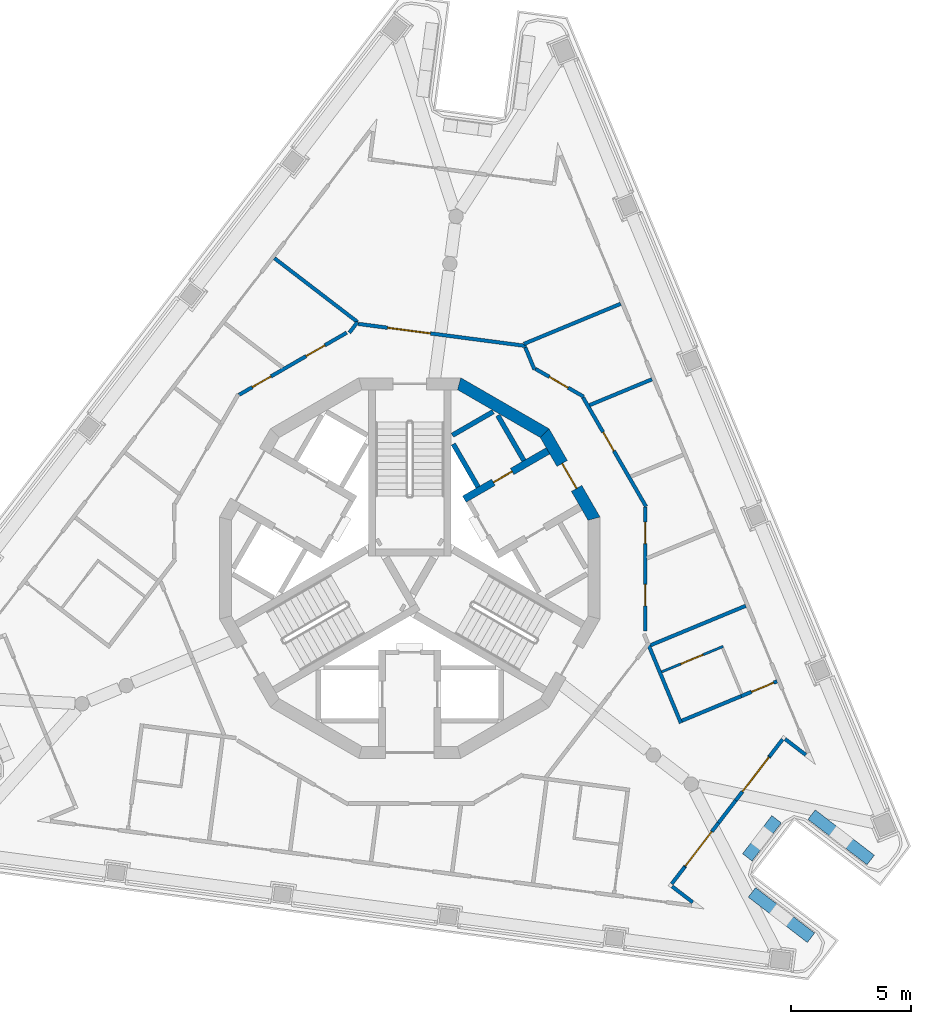
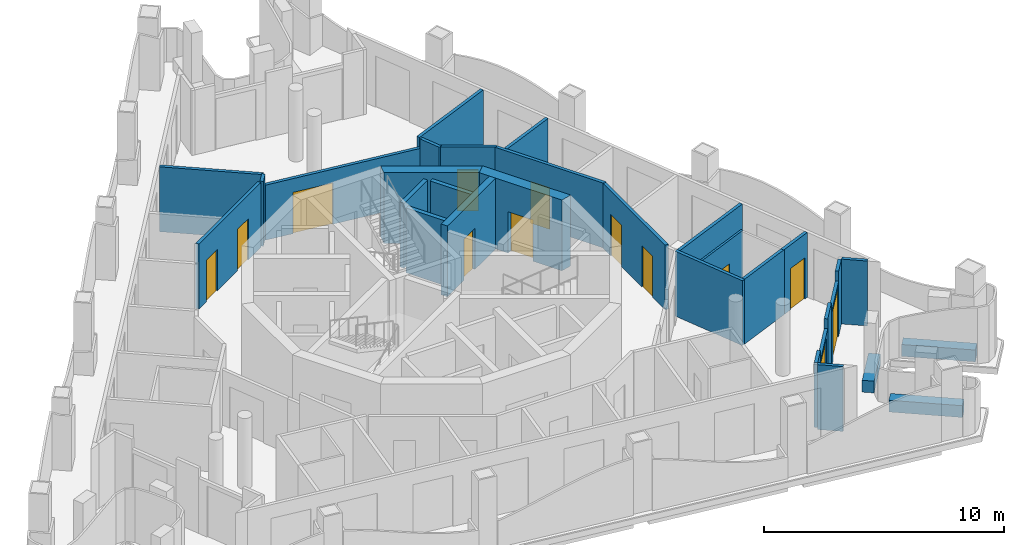
# One storey, part 5 of 12: 31 walls, 13 doors, 13 openings.
"""IFC4 building model written with IfcOpenShell, lengths in metres."""

from ifc_helpers import new_model, si_unit, direction, frame, frame_2d, origin, place, context, subcontext, project, spatial, polyline, rectangle, outline, extrude, material, layer, layer_set, type_object, element, fill, save


model = new_model("IFC4")

# Units and contexts
model_context = context("Model", 3, precision=1e-05, world=origin(), true_north=direction((0.0, 1.0)))
body_context = subcontext(model_context, "Body", "Model", "MODEL_VIEW")
ifc_project = project(units=[si_unit("LENGTHUNIT", "METRE"), si_unit("AREAUNIT", "SQUARE_METRE"), si_unit("VOLUMEUNIT", "CUBIC_METRE"), si_unit("PLANEANGLEUNIT", "RADIAN"), si_unit("MASSUNIT", "GRAM", prefix="KILO")], contexts=[model_context])

# Site, building, storey
site_placement = place(None, origin())
site = spatial("IfcSite", under=ifc_project, at=site_placement, CompositionType="ELEMENT")
building_placement = place(site_placement, origin())
building = spatial("IfcBuilding", under=site, at=building_placement, Name="Trine Commons Tower", CompositionType="ELEMENT")
storey_placement = place(building_placement, frame((0.0, 0.0, 275.39990234375)))
storey = spatial("IfcBuildingStorey", under=building, at=storey_placement, Name="L72", CompositionType="ELEMENT", Elevation=275.39990234375)

# Walls
ifc_material_1 = material(Name="Aluminium-framed insulated wall panel", Category="aluminium")
ifc_layer_1 = layer(ifc_material_1, 0.14990234375)
ifc_layer_set_1 = layer_set([ifc_layer_1], Name="Aluminium-framed insulated wall panel")
wall_type_1 = type_object("IfcWallType", Name="Glazed frame wall 150, EI 60", PredefinedType="SOLIDWALL", material=ifc_layer_set_1)
wall_1_placement = place(storey_placement, frame((96.600830078125, 54.633544921875, 0.0), z_axis=(0.0, 0.0, 1.0), x_axis=(-0.793352136239, 0.608762998157, 0.0)))
element("IfcWall", 1, at=wall_1_placement, inside=storey, type_object=wall_type_1, Name="Glazed frame wall R6", PredefinedType="SOLIDWALL", context=body_context, shape_type="SweptSolid", body=[
    extrude(outline(polyline([(0.1494140625, 0.074951171875), (0.1494140625, -0.074951171875), (1.235107421875, -0.074951171875), (1.235107421875, 0.074951171875), (0.1494140625, 0.074951171875)])), origin(), (0.0, 0.0, 1.0), 3.300048828125),
])
wall_2_placement = place(storey_placement, frame((95.582763671875, 55.458740234375, 0.0), z_axis=(0.0, 0.0, 1.0), x_axis=(-0.60863653794, -0.793449156962, 0.0)))
element("IfcWall", 2, at=wall_2_placement, inside=storey, type_object=wall_type_1, Name="Glazed frame wall P2.1", PredefinedType="SOLIDWALL", context=body_context, shape_type="SweptSolid", body=[
    extrude(outline(polyline([(0.110107421875, -0.074951171875), (1.0, -0.074951171875), (1.0, 0.074951171875), (0.110107421875, 0.074951171875), (0.110107421875, -0.074951171875)])), origin(), (0.0, 0.0, 1.0), 3.300048828125),
])

# Wall, opening, door
wall_3_placement = place(storey_placement, frame((94.97412109375, 54.665283203125, 0.0), z_axis=(0.0, 0.0, 1.0), x_axis=(-0.608821878019, -0.793306952475, 0.0)))
wall_3 = element("IfcWall", 3, at=wall_3_placement, inside=storey, type_object=wall_type_1, Name="Glazed frame wall P2.2", PredefinedType="SOLIDWALL", context=body_context, shape_type="SweptSolid", body=[
    extrude(outline(polyline([(0.0, -0.074951171875), (2.310791015625, -0.074951171875), (2.310791015625, 0.074951171875), (0.0, 0.074951171875), (0.0, -0.074951171875)])), origin(), (0.0, 0.0, 1.0), 2.800048828125),
])
opening_1_placement = place(wall_3_placement, frame((0.050048828125, 0.0, 0.0)))
opening_1 = element("IfcOpeningElement", 4, at=opening_1_placement, cuts=wall_3, Name="Opening BD-8P2-01", PredefinedType="OPENING", context=body_context, shape_type="SweptSolid", body=[
    extrude(rectangle(XDim=1.800048828125, YDim=2.60009765625, at=frame_2d((0.89990234375, 1.300048828125))), frame((0.0, 0.0849609375, 0.0), z_axis=(0.0, -1.0, 0.0), x_axis=(1.0, 0.0, 0.0)), (0.0, 0.0, 1.0), 0.169921875),
])
ifc_material_2 = material(Name="Anodised aluminium frame with double glazing", Category="aluminium")
door_type_1 = type_object("IfcDoorType", Name="Sliding loggia door 1800x2600", OperationType="SLIDING_TO_LEFT", PredefinedType="DOOR", material=ifc_material_2)
door_1_placement = place(opening_1_placement, origin())
door_1 = element("IfcDoor", 5, at=door_1_placement, inside=storey, type_object=door_type_1, Name="Loggia door P2 1", OperationType="SLIDING_TO_LEFT", OverallHeight=2.60009765625, OverallWidth=1.800048828125, PredefinedType="DOOR", context=body_context, shape_type="SweptSolid", body=[
    extrude(rectangle(XDim=1.800048828125, YDim=2.60009765625, at=frame_2d((0.89990234375, 1.300048828125))), frame((0.0, 0.02490234375, 0.0), z_axis=(0.0, -1.0, 0.0), x_axis=(1.0, 0.0, 0.0)), (0.0, 0.0, 1.0), 0.050048828125),
])
fill(opening_1, door_1)

# Wall
wall_4_placement = place(storey_placement, frame((93.5673828125, 52.832275390625, 0.0), z_axis=(0.0, 0.0, 1.0), x_axis=(-0.608779373124, -0.793339570965, 0.0)))
element("IfcWall", 6, at=wall_4_placement, inside=storey, type_object=wall_type_1, Name="Glazed frame wall P2.3", PredefinedType="SOLIDWALL", context=body_context, shape_type="SweptSolid", body=[
    extrude(outline(polyline([(0.0, -0.074951171875), (1.1787109375, -0.074951171875), (1.1787109375, 0.074951171875), (0.0, 0.074951171875), (0.0, -0.074951171875)])), origin(), (0.0, 0.0, 1.0), 3.300048828125),
])

# Wall, opening, door
wall_5_placement = place(storey_placement, frame((92.849853515625, 51.897216796875, 0.0), z_axis=(0.0, 0.0, 1.0), x_axis=(-0.608770848341, -0.793346112494, 0.0)))
wall_5 = element("IfcWall", 7, at=wall_5_placement, inside=storey, type_object=wall_type_1, Name="Glazed frame wall P2.4", PredefinedType="SOLIDWALL", context=body_context, shape_type="SweptSolid", body=[
    extrude(outline(polyline([(0.0, -0.074951171875), (2.310791015625, -0.074951171875), (2.310791015625, 0.074951171875), (0.0, 0.074951171875), (0.0, -0.074951171875)])), origin(), (0.0, 0.0, 1.0), 2.800048828125),
])
opening_2_placement = place(wall_5_placement, frame((0.460693359375, 0.0, 0.0)))
opening_2 = element("IfcOpeningElement", 8, at=opening_2_placement, cuts=wall_5, Name="Opening BD-8P2-02", PredefinedType="OPENING", context=body_context, shape_type="SweptSolid", body=[
    extrude(rectangle(XDim=1.800048828125, YDim=2.60009765625, at=frame_2d((0.89990234375, 1.300048828125))), frame((0.0, 0.0849609375, 0.0), z_axis=(0.0, -1.0, 0.0), x_axis=(1.0, 0.0, 0.0)), (0.0, 0.0, 1.0), 0.169921875),
])
door_2_placement = place(opening_2_placement, origin())
door_2 = element("IfcDoor", 9, at=door_2_placement, inside=storey, type_object=door_type_1, Name="Loggia door P2 2", OperationType="SLIDING_TO_LEFT", OverallHeight=2.60009765625, OverallWidth=1.800048828125, PredefinedType="DOOR", context=body_context, shape_type="SweptSolid", body=[
    extrude(rectangle(XDim=1.800048828125, YDim=2.60009765625, at=frame_2d((0.89990234375, 1.300048828125))), frame((0.0, 0.02490234375, 0.0), z_axis=(0.0, -1.0, 0.0), x_axis=(1.0, 0.0, 0.0)), (0.0, 0.0, 1.0), 0.050048828125),
])
fill(opening_2, door_2)

# Walls
wall_6_placement = place(storey_placement, frame((91.443115234375, 50.06396484375, 0.0), z_axis=(0.0, 0.0, 1.0), x_axis=(-0.60863653794, -0.793449156962, 0.0)))
element("IfcWall", 10, at=wall_6_placement, inside=storey, type_object=wall_type_1, Name="Glazed frame wall P2.5", PredefinedType="SOLIDWALL", context=body_context, shape_type="SweptSolid", body=[
    extrude(outline(polyline([(0.889892578125, 0.074951171875), (0.0, 0.074951171875), (0.0, -0.074951171875), (0.889892578125, -0.074951171875), (0.889892578125, 0.074951171875)])), origin(), (0.0, 0.0, 1.0), 3.300048828125),
])
wall_7_placement = place(storey_placement, frame((90.827880859375, 49.319580078125, 0.0), z_axis=(0.0, 0.0, 1.0), x_axis=(0.793439797287, -0.608648739488, 0.0)))
element("IfcWall", 11, at=wall_7_placement, inside=storey, type_object=wall_type_1, Name="Glazed frame wall R8", PredefinedType="SOLIDWALL", context=body_context, shape_type="SweptSolid", body=[
    extrude(outline(polyline([(0.110107421875, 0.074951171875), (0.110107421875, -0.074951171875), (1.19580078125, -0.074951171875), (1.19580078125, 0.074951171875), (0.110107421875, 0.074951171875)])), origin(), (0.0, 0.0, 1.0), 3.300048828125),
])
ifc_material_3 = material(Name="Planter trough, precast concrete C40/50", Category="concrete")
ifc_layer_2 = layer(ifc_material_3, 0.5)
ifc_layer_set_2 = layer_set([ifc_layer_2], Name="Planter trough, precast concrete C40/50")
wall_type_2 = type_object("IfcWallType", Name="Planter trough 500x600", PredefinedType="PARAPET", material=ifc_layer_set_2)
wall_8_placement = place(storey_placement, frame((99.182861328125, 50.351806640625, 0.0), z_axis=(0.0, 0.0, 1.0), x_axis=(-0.793355321014, 0.608758847671, 0.0)))
element("IfcWall", 12, at=wall_8_placement, inside=storey, type_object=wall_type_2, Name="Planter 7", PredefinedType="PARAPET", context=body_context, shape_type="SweptSolid", body=[
    extrude(rectangle(XDim=3.10009765625, YDim=0.5, at=frame_2d((1.550048828125, 0.0))), origin(), (0.0, 0.0, 1.0), 0.60009765625),
])
wall_9_placement = place(storey_placement, frame((95.265380859375, 52.047119140625, 0.0), z_axis=(0.0, 0.0, 1.0), x_axis=(-0.608790203715, -0.793331259853, 0.0)))
element("IfcWall", 13, at=wall_9_placement, inside=storey, type_object=wall_type_2, Name="Planter 8", PredefinedType="PARAPET", context=body_context, shape_type="SweptSolid", body=[
    extrude(rectangle(XDim=2.000244140625, YDim=0.5, at=frame_2d((1.0, 0.0))), origin(), (0.0, 0.0, 1.0), 0.60009765625),
])
wall_10_placement = place(storey_placement, frame((94.23974609375, 49.002197265625, 0.0), z_axis=(0.0, 0.0, 1.0), x_axis=(0.793355321014, -0.608758847671, 0.0)))
element("IfcWall", 14, at=wall_10_placement, inside=storey, type_object=wall_type_2, Name="Planter 9", PredefinedType="PARAPET", context=body_context, shape_type="SweptSolid", body=[
    extrude(rectangle(XDim=3.10009765625, YDim=0.5, at=frame_2d((1.550048828125, 0.0))), origin(), (0.0, 0.0, 1.0), 0.60009765625),
])

# Wall, opening, door
ifc_material_4 = material(Name="Concrete C50/60", Category="concrete")
ifc_layer_3 = layer(ifc_material_4, 0.300048828125)
ifc_layer_set_3 = layer_set([ifc_layer_3], Name="Concrete C50/60")
wall_type_3 = type_object("IfcWallType", Name="RC shear wall 300 mm, C50/60", PredefinedType="SHEAR", material=ifc_layer_set_3)
wall_11_placement = place(storey_placement, frame((82.26904296875, 65.368896484375, 0.0), z_axis=(0.0, 0.0, 1.0), x_axis=(0.866056154689, 0.499946734088, 0.0)))
wall_11 = element("IfcWall", 15, at=wall_11_placement, inside=storey, type_object=wall_type_3, Name="Core cross wall SWD-05 L72", PredefinedType="SHEAR", context=body_context, shape_type="SweptSolid", body=[
    extrude(rectangle(XDim=4.0205078125, YDim=0.300048828125, at=frame_2d((2.01025390625, 0.0))), origin(), (0.0, 0.0, 1.0), 3.60009765625),
])
opening_3_placement = place(wall_11_placement, frame((1.400390625, 0.0, 0.0)))
opening_3 = element("IfcOpeningElement", 16, at=opening_3_placement, cuts=wall_11, Name="Opening K18.10", PredefinedType="OPENING", context=body_context, shape_type="SweptSolid", body=[
    extrude(rectangle(XDim=0.89990234375, YDim=2.10009765625, at=frame_2d((0.449951171875, 1.050048828125))), frame((0.0, 0.159912109375, 0.0), z_axis=(0.0, -1.0, 0.0), x_axis=(1.0, 0.0, 0.0)), (0.0, 0.0, 1.0), 0.320068359375),
])
ifc_material_5 = material(Name="Steel door leaf, fire-rated", Category="steel")
door_type_2 = type_object("IfcDoorType", Name="Core room door, single leaf 900 x 2100, FD30S", OperationType="SINGLE_SWING_LEFT", PredefinedType="DOOR", material=ifc_material_5)
door_3_placement = place(opening_3_placement, origin())
door_3 = element("IfcDoor", 17, at=door_3_placement, inside=storey, type_object=door_type_2, Name="Door to Linen store L72", OperationType="SINGLE_SWING_LEFT", OverallHeight=2.10009765625, OverallWidth=0.89990234375, PredefinedType="DOOR", context=body_context, shape_type="SweptSolid", body=[
    extrude(rectangle(XDim=0.89990234375, YDim=2.10009765625, at=frame_2d((0.449951171875, 1.050048828125))), frame((0.0, 0.02490234375, 0.0), z_axis=(0.0, -1.0, 0.0), x_axis=(1.0, 0.0, 0.0)), (0.0, 0.0, 1.0), 0.050048828125),
])
fill(opening_3, door_3)

ifc_layer_4 = layer(ifc_material_4, 0.5)
ifc_layer_set_4 = layer_set([ifc_layer_4], Name="Concrete C50/60")
wall_type_4 = type_object("IfcWallType", Name="RC shear wall 500 mm, C50/60", PredefinedType="SHEAR", material=ifc_layer_set_4)
wall_12_placement = place(storey_placement, frame((87.7041015625, 64.497314453125, 0.0), z_axis=(0.0, 0.0, 1.0), x_axis=(-0.499992968425, 0.866029463428, 0.0)))
wall_12 = element("IfcWall", 18, at=wall_12_placement, inside=storey, type_object=wall_type_4, Name="Core wall CWH-02 L72", PredefinedType="SHEAR", context=body_context, shape_type="SweptSolid", body=[
    extrude(outline(polyline([(0.0, -0.25), (4.24462890625, -0.25), (4.110595703125, 0.25), (0.134033203125, 0.25), (0.0, -0.25)])), origin(), (0.0, 0.0, 1.0), 3.60009765625),
])
opening_4_placement = place(wall_12_placement, frame((1.5224609375, 0.0, 0.0)))
opening_4 = element("IfcOpeningElement", 19, at=opening_4_placement, cuts=wall_12, Name="Opening K18.04", PredefinedType="OPENING", context=body_context, shape_type="SweptSolid", body=[
    extrude(rectangle(XDim=1.199951171875, YDim=2.10009765625, at=frame_2d((0.60009765625, 1.050048828125))), frame((0.0, 0.260009765625, 0.0), z_axis=(0.0, -1.0, 0.0), x_axis=(1.0, 0.0, 0.0)), (0.0, 0.0, 1.0), 0.52001953125),
])
ifc_material_6 = material(Name="Steel door leaves, fire-rated", Category="steel")
door_type_3 = type_object("IfcDoorType", Name="Lobby door, double leaf 1200 x 2100, FD60", OperationType="DOUBLE_DOOR_SINGLE_SWING", PredefinedType="DOOR", material=ifc_material_6)
door_4_placement = place(opening_4_placement, origin())
door_4 = element("IfcDoor", 20, at=door_4_placement, inside=storey, type_object=door_type_3, Name="Lobby door, Core lounge L72", OperationType="DOUBLE_DOOR_SINGLE_SWING", OverallHeight=2.10009765625, OverallWidth=1.199951171875, PredefinedType="DOOR", context=body_context, shape_type="SweptSolid", body=[
    extrude(rectangle(XDim=1.199951171875, YDim=2.10009765625, at=frame_2d((0.60009765625, 1.050048828125))), frame((0.0, 0.02490234375, 0.0), z_axis=(0.0, -1.0, 0.0), x_axis=(1.0, 0.0, 0.0)), (0.0, 0.0, 1.0), 0.050048828125),
])
fill(opening_4, door_4)

# Walls
wall_13_placement = place(storey_placement, frame((85.67333984375, 68.081787109375, 0.0), z_axis=(0.0, 0.0, 1.0), x_axis=(-0.866029463428, 0.499992968425, 0.0)))
element("IfcWall", 21, at=wall_13_placement, inside=storey, type_object=wall_type_4, Name="Core wall CWH-03 L72", PredefinedType="SHEAR", context=body_context, shape_type="SweptSolid", body=[
    extrude(outline(polyline([(0.0, -0.25), (4.24462890625, -0.25), (4.110595703125, 0.25), (0.134033203125, 0.25), (0.0, -0.25)])), origin(), (0.0, 0.0, 1.0), 3.60009765625),
])
ifc_material_7 = material(Name="Fire-rated gypsum shaft wall system")
ifc_layer_5 = layer(ifc_material_7, 0.199951171875)
ifc_layer_set_5 = layer_set([ifc_layer_5], Name="Fire-rated gypsum shaft wall system")
wall_type_5 = type_object("IfcWallType", Name="Shaft wall 200 mm, EI 120", PredefinedType="PARTITIONING", material=ifc_layer_set_5)
wall_14_placement = place(storey_placement, frame((81.77490234375, 68.028076171875, 0.0), z_axis=(0.0, 0.0, 1.0), x_axis=(0.866071410914, 0.499920304846, 0.0)))
element("IfcWall", 22, at=wall_14_placement, inside=storey, type_object=wall_type_5, Name="Shaft wall L72", PredefinedType="PARTITIONING", context=body_context, shape_type="SweptSolid", body=[
    extrude(rectangle(XDim=1.958251953125, YDim=0.199951171875, at=frame_2d((0.97900390625, 0.0))), origin(), (0.0, 0.0, 1.0), 3.300048828125),
])
wall_15_placement = place(storey_placement, frame((82.843994140625, 65.8740234375, 0.0), z_axis=(0.0, 0.0, 1.0), x_axis=(-0.499865770674, 0.866102887253, 0.0)))
element("IfcWall", 23, at=wall_15_placement, inside=storey, type_object=wall_type_5, Name="Shaft wall L72", PredefinedType="PARTITIONING", context=body_context, shape_type="SweptSolid", body=[
    extrude(rectangle(XDim=2.064453125, YDim=0.199951171875, at=frame_2d((1.0322265625, 0.0))), origin(), (0.0, 0.0, 1.0), 3.300048828125),
])
wall_16_placement = place(storey_placement, frame((84.7490234375, 66.97412109375, 0.0), z_axis=(0.0, 0.0, 1.0), x_axis=(-0.500060114735, 0.865990693744, 0.0)))
element("IfcWall", 24, at=wall_16_placement, inside=storey, type_object=wall_type_5, Name="Shaft wall L72", PredefinedType="PARTITIONING", context=body_context, shape_type="SweptSolid", body=[
    extrude(rectangle(XDim=2.169677734375, YDim=0.199951171875, at=frame_2d((1.0849609375, 0.0))), origin(), (0.0, 0.0, 1.0), 3.300048828125),
])

# Wall, openings, doors
ifc_material_8 = material(Name="Gypsum plasterboard on steel stud", Category="steel")
ifc_layer_6 = layer(ifc_material_8, 0.14990234375)
ifc_layer_set_6 = layer_set([ifc_layer_6], Name="Gypsum plasterboard on steel stud")
wall_type_6 = type_object("IfcWallType", Name="Unit and corridor wall 150 mm, EI 60", PredefinedType="PARTITIONING", material=ifc_layer_set_6)
wall_17_placement = place(storey_placement, frame((72.893798828125, 69.70849609375, 0.0), z_axis=(0.0, 0.0, 1.0), x_axis=(0.866010370781, 0.500026037022, 0.0)))
wall_17 = element("IfcWall", 25, at=wall_17_placement, inside=storey, type_object=wall_type_6, Name="Partition 024", PredefinedType="PARTITIONING", context=body_context, shape_type="SweptSolid", body=[
    extrude(rectangle(XDim=5.174560546875, YDim=0.14990234375, at=frame_2d((2.58740234375, 0.0))), origin(), (0.0, 0.0, 1.0), 3.300048828125),
])
opening_5_placement = place(wall_17_placement, frame((0.636474609375, 0.0, 0.0)))
opening_5 = element("IfcOpeningElement", 26, at=opening_5_placement, cuts=wall_17, Name="Opening D-8A07", PredefinedType="OPENING", context=body_context, shape_type="SweptSolid", body=[
    extrude(rectangle(XDim=0.89990234375, YDim=2.10009765625, at=frame_2d((0.449951171875, 1.050048828125))), frame((0.0, 0.0849609375, 0.0), z_axis=(0.0, -1.0, 0.0), x_axis=(1.0, 0.0, 0.0)), (0.0, 0.0, 1.0), 0.169921875),
])
opening_6_placement = place(wall_17_placement, frame((3.223876953125, 0.0, 0.0)))
opening_6 = element("IfcOpeningElement", 27, at=opening_6_placement, cuts=wall_17, Name="Opening D-8A08", PredefinedType="OPENING", context=body_context, shape_type="SweptSolid", body=[
    extrude(rectangle(XDim=0.89990234375, YDim=2.10009765625, at=frame_2d((0.449951171875, 1.050048828125))), frame((0.0, 0.0849609375, 0.0), z_axis=(0.0, -1.0, 0.0), x_axis=(1.0, 0.0, 0.0)), (0.0, 0.0, 1.0), 0.169921875),
])
ifc_material_9 = material(Name="Timber fire door set", Category="wood")
door_type_4 = type_object("IfcDoorType", Name="Service door 900 x 2100, FD30S", OperationType="NOTDEFINED", PredefinedType="DOOR", material=ifc_material_9)
door_5_placement = place(opening_5_placement, origin())
door_5 = element("IfcDoor", 28, at=door_5_placement, inside=storey, type_object=door_type_4, Name="Door D-8A07", OperationType="SINGLE_SWING_LEFT", OverallHeight=2.10009765625, OverallWidth=0.89990234375, PredefinedType="DOOR", context=body_context, shape_type="SweptSolid", body=[
    extrude(rectangle(XDim=0.89990234375, YDim=2.10009765625, at=frame_2d((0.449951171875, 1.050048828125))), frame((0.0, 0.02490234375, 0.0), z_axis=(0.0, -1.0, 0.0), x_axis=(1.0, 0.0, 0.0)), (0.0, 0.0, 1.0), 0.050048828125),
])
fill(opening_5, door_5)
door_6_placement = place(opening_6_placement, origin())
door_6 = element("IfcDoor", 29, at=door_6_placement, inside=storey, type_object=door_type_4, Name="Door D-8A08", OperationType="SINGLE_SWING_RIGHT", OverallHeight=2.10009765625, OverallWidth=0.89990234375, PredefinedType="DOOR", context=body_context, shape_type="SweptSolid", body=[
    extrude(rectangle(XDim=0.89990234375, YDim=2.10009765625, at=frame_2d((0.449951171875, 1.050048828125))), frame((0.0, 0.02490234375, 0.0), z_axis=(0.0, -1.0, 0.0), x_axis=(1.0, 0.0, 0.0)), (0.0, 0.0, 1.0), 0.050048828125),
])
fill(opening_6, door_6)

# Walls
wall_18_placement = place(storey_placement, frame((74.36865234375, 75.39453125, 0.0), z_axis=(0.0, 0.0, 1.0), x_axis=(0.793333223514, -0.608787644807, 0.0)))
element("IfcWall", 30, at=wall_18_placement, inside=storey, type_object=wall_type_6, Name="Partition 025", PredefinedType="PARTITIONING", context=body_context, shape_type="SweptSolid", body=[
    extrude(rectangle(XDim=4.3603515625, YDim=0.14990234375, at=frame_2d((2.18017578125, 0.0))), origin(), (0.0, 0.0, 1.0), 3.300048828125),
])
wall_19_placement = place(storey_placement, frame((77.487060546875, 72.2958984375, 0.0), z_axis=(0.0, 0.0, 1.0), x_axis=(0.608207837142, 0.793777819569, 0.0)))
element("IfcWall", 31, at=wall_19_placement, inside=storey, type_object=wall_type_6, Name="Partition 028", PredefinedType="PARTITIONING", context=body_context, shape_type="SweptSolid", body=[
    extrude(rectangle(XDim=0.550048828125, YDim=0.14990234375, at=frame_2d((0.27490234375, 0.0))), origin(), (0.0, 0.0, 1.0), 3.300048828125),
])

# Wall, opening, door
wall_20_placement = place(storey_placement, frame((77.850341796875, 72.6630859375, 0.0), z_axis=(0.0, 0.0, 1.0), x_axis=(0.991451590302, -0.130475070748, 0.0)))
wall_20 = element("IfcWall", 32, at=wall_20_placement, inside=storey, type_object=wall_type_6, Name="Partition 029", PredefinedType="PARTITIONING", context=body_context, shape_type="SweptSolid", body=[
    extrude(rectangle(XDim=7.0654296875, YDim=0.14990234375, at=frame_2d((3.53271484375, 0.0))), origin(), (0.0, 0.0, 1.0), 2.800048828125),
])
opening_7_placement = place(wall_20_placement, frame((1.236572265625, 0.0, 0.0)))
opening_7 = element("IfcOpeningElement", 33, at=opening_7_placement, cuts=wall_20, Name="Opening D-8A01", PredefinedType="OPENING", context=body_context, shape_type="SweptSolid", body=[
    extrude(rectangle(XDim=1.800048828125, YDim=2.10009765625, at=frame_2d((0.89990234375, 1.050048828125))), frame((0.0, 0.0849609375, 0.0), z_axis=(0.0, -1.0, 0.0), x_axis=(1.0, 0.0, 0.0)), (0.0, 0.0, 1.0), 0.169921875),
])
door_type_5 = type_object("IfcDoorType", Name="Cluster entrance door 1800 x 2100, double leaf, FD30S", OperationType="DOUBLE_DOOR_DOUBLE_SWING", PredefinedType="DOOR", material=ifc_material_9)
door_7_placement = place(opening_7_placement, origin())
door_7 = element("IfcDoor", 34, at=door_7_placement, inside=storey, type_object=door_type_5, Name="Door D-8A01", OperationType="DOUBLE_DOOR_DOUBLE_SWING", OverallHeight=2.10009765625, OverallWidth=1.800048828125, PredefinedType="DOOR", context=body_context, shape_type="SweptSolid", body=[
    extrude(rectangle(XDim=1.800048828125, YDim=2.10009765625, at=frame_2d((0.89990234375, 1.050048828125))), frame((0.0, 0.02490234375, 0.0), z_axis=(0.0, -1.0, 0.0), x_axis=(1.0, 0.0, 0.0)), (0.0, 0.0, 1.0), 0.050048828125),
])
fill(opening_7, door_7)

# Walls
wall_21_placement = place(storey_placement, frame((84.7490234375, 71.8291015625, 0.0), z_axis=(0.0, 0.0, 1.0), x_axis=(0.923861903396, 0.382725990042, 0.0)))
element("IfcWall", 35, at=wall_21_placement, inside=storey, type_object=wall_type_6, Name="Partition 034", PredefinedType="PARTITIONING", context=body_context, shape_type="SweptSolid", body=[
    extrude(rectangle(XDim=4.360107421875, YDim=0.14990234375, at=frame_2d((2.18017578125, 0.0))), origin(), (0.0, 0.0, 1.0), 3.300048828125),
])
wall_22_placement = place(storey_placement, frame((84.809814453125, 71.681640625, 0.0), z_axis=(0.0, 0.0, 1.0), x_axis=(0.382525049986, -0.923945120737, 0.0)))
element("IfcWall", 36, at=wall_22_placement, inside=storey, type_object=wall_type_6, Name="Partition 035", PredefinedType="PARTITIONING", context=body_context, shape_type="SweptSolid", body=[
    extrude(rectangle(XDim=0.99560546875, YDim=0.14990234375, at=frame_2d((0.497802734375, 0.0))), origin(), (0.0, 0.0, 1.0), 3.300048828125),
])

# Wall, opening, door
wall_23_placement = place(storey_placement, frame((85.22705078125, 70.79345703125, 0.0), z_axis=(0.0, 0.0, 1.0), x_axis=(0.866026103983, -0.499998787219, 0.0)))
wall_23 = element("IfcWall", 37, at=wall_23_placement, inside=storey, type_object=wall_type_6, Name="Partition 037", PredefinedType="PARTITIONING", context=body_context, shape_type="SweptSolid", body=[
    extrude(rectangle(XDim=2.31982421875, YDim=0.14990234375, at=frame_2d((1.159912109375, 0.0))), origin(), (0.0, 0.0, 1.0), 3.300048828125),
])
opening_8_placement = place(wall_23_placement, frame((0.672607421875, 0.0, 0.0)))
opening_8 = element("IfcOpeningElement", 38, at=opening_8_placement, cuts=wall_23, Name="Opening D-8A09", PredefinedType="OPENING", context=body_context, shape_type="SweptSolid", body=[
    extrude(rectangle(XDim=0.89990234375, YDim=2.10009765625, at=frame_2d((0.449951171875, 1.050048828125))), frame((0.0, 0.0849609375, 0.0), z_axis=(0.0, -1.0, 0.0), x_axis=(1.0, 0.0, 0.0)), (0.0, 0.0, 1.0), 0.169921875),
])
door_8_placement = place(opening_8_placement, origin())
door_8 = element("IfcDoor", 39, at=door_8_placement, inside=storey, type_object=door_type_4, Name="Door D-8A09", OperationType="SINGLE_SWING_LEFT", OverallHeight=2.10009765625, OverallWidth=0.89990234375, PredefinedType="DOOR", context=body_context, shape_type="SweptSolid", body=[
    extrude(rectangle(XDim=0.89990234375, YDim=2.10009765625, at=frame_2d((0.449951171875, 1.050048828125))), frame((0.0, 0.02490234375, 0.0), z_axis=(0.0, -1.0, 0.0), x_axis=(1.0, 0.0, 0.0)), (0.0, 0.0, 1.0), 0.050048828125),
])
fill(opening_8, door_8)

wall_24_placement = place(storey_placement, frame((87.20849609375, 69.606201171875, 0.0), z_axis=(0.0, 0.0, 1.0), x_axis=(0.500040482552, -0.866002029911, 0.0)))
wall_24 = element("IfcWall", 40, at=wall_24_placement, inside=storey, type_object=wall_type_6, Name="Partition 042", PredefinedType="PARTITIONING", context=body_context, shape_type="SweptSolid", body=[
    extrude(rectangle(XDim=5.24951171875, YDim=0.14990234375, at=frame_2d((2.624755859375, 0.0))), origin(), (0.0, 0.0, 1.0), 3.300048828125),
])
opening_9_placement = place(wall_24_placement, frame((1.674560546875, 0.0, 0.0)))
opening_9 = element("IfcOpeningElement", 41, at=opening_9_placement, cuts=wall_24, Name="Opening D-8A10", PredefinedType="OPENING", context=body_context, shape_type="SweptSolid", body=[
    extrude(rectangle(XDim=0.89990234375, YDim=2.10009765625, at=frame_2d((0.449951171875, 1.050048828125))), frame((0.0, 0.0849609375, 0.0), z_axis=(0.0, -1.0, 0.0), x_axis=(1.0, 0.0, 0.0)), (0.0, 0.0, 1.0), 0.169921875),
])
door_9_placement = place(opening_9_placement, origin())
door_9 = element("IfcDoor", 42, at=door_9_placement, inside=storey, type_object=door_type_4, Name="Door D-8A10", OperationType="SINGLE_SWING_LEFT", OverallHeight=2.10009765625, OverallWidth=0.89990234375, PredefinedType="DOOR", context=body_context, shape_type="SweptSolid", body=[
    extrude(rectangle(XDim=0.89990234375, YDim=2.10009765625, at=frame_2d((0.449951171875, 1.050048828125))), frame((0.0, 0.02490234375, 0.0), z_axis=(0.0, -1.0, 0.0), x_axis=(1.0, 0.0, 0.0)), (0.0, 0.0, 1.0), 0.050048828125),
])
fill(opening_9, door_9)

# Wall
wall_25_placement = place(storey_placement, frame((87.482421875, 69.27978515625, 0.0), z_axis=(0.0, 0.0, 1.0), x_axis=(0.923772104672, 0.382942683218, 0.0)))
element("IfcWall", 43, at=wall_25_placement, inside=storey, type_object=wall_type_6, Name="Partition 043", PredefinedType="PARTITIONING", context=body_context, shape_type="SweptSolid", body=[
    extrude(rectangle(XDim=2.8095703125, YDim=0.14990234375, at=frame_2d((1.40478515625, 0.0))), origin(), (0.0, 0.0, 1.0), 3.300048828125),
])

# Wall, openings, doors
wall_26_placement = place(storey_placement, frame((89.7958984375, 59.875, 0.0), z_axis=(0.0, 0.0, 1.0), x_axis=(0.0, 1.0, 0.0)))
wall_26 = element("IfcWall", 44, at=wall_26_placement, inside=storey, type_object=wall_type_6, Name="Partition 050", PredefinedType="PARTITIONING", context=body_context, shape_type="SweptSolid", body=[
    extrude(rectangle(XDim=5.175048828125, YDim=0.14990234375, at=frame_2d((2.58740234375, 0.0))), origin(), (0.0, 0.0, 1.0), 3.300048828125),
])
opening_10_placement = place(wall_26_placement, frame((3.637939453125, 0.0, 0.0)))
opening_10 = element("IfcOpeningElement", 45, at=opening_10_placement, cuts=wall_26, Name="Opening D-8A11", PredefinedType="OPENING", context=body_context, shape_type="SweptSolid", body=[
    extrude(rectangle(XDim=0.89990234375, YDim=2.10009765625, at=frame_2d((0.449951171875, 1.050048828125))), frame((0.0, 0.0849609375, 0.0), z_axis=(0.0, -1.0, 0.0), x_axis=(1.0, 0.0, 0.0)), (0.0, 0.0, 1.0), 0.169921875),
])
opening_11_placement = place(wall_26_placement, frame((1.050537109375, 0.0, 0.0)))
opening_11 = element("IfcOpeningElement", 46, at=opening_11_placement, cuts=wall_26, Name="Opening D-8A12", PredefinedType="OPENING", context=body_context, shape_type="SweptSolid", body=[
    extrude(rectangle(XDim=0.89990234375, YDim=2.10009765625, at=frame_2d((0.449951171875, 1.050048828125))), frame((0.0, 0.0849609375, 0.0), z_axis=(0.0, -1.0, 0.0), x_axis=(1.0, 0.0, 0.0)), (0.0, 0.0, 1.0), 0.169921875),
])
door_10_placement = place(opening_10_placement, frame((0.89990234375, 0.0, 0.0), z_axis=(0.0, 0.0, 1.0), x_axis=(-1.0, 0.0, 0.0)))
door_10 = element("IfcDoor", 47, at=door_10_placement, inside=storey, type_object=door_type_4, Name="Door D-8A11", OperationType="SINGLE_SWING_LEFT", OverallHeight=2.10009765625, OverallWidth=0.89990234375, PredefinedType="DOOR", context=body_context, shape_type="SweptSolid", body=[
    extrude(rectangle(XDim=0.89990234375, YDim=2.10009765625, at=frame_2d((0.449951171875, 1.050048828125))), frame((0.0, 0.02490234375, 0.0), z_axis=(0.0, -1.0, 0.0), x_axis=(1.0, 0.0, 0.0)), (0.0, 0.0, 1.0), 0.050048828125),
])
fill(opening_10, door_10)
door_11_placement = place(opening_11_placement, frame((0.89990234375, 0.0, 0.0), z_axis=(0.0, 0.0, 1.0), x_axis=(-1.0, 0.0, 0.0)))
door_11 = element("IfcDoor", 48, at=door_11_placement, inside=storey, type_object=door_type_4, Name="Door D-8A12", OperationType="SINGLE_SWING_RIGHT", OverallHeight=2.10009765625, OverallWidth=0.89990234375, PredefinedType="DOOR", context=body_context, shape_type="SweptSolid", body=[
    extrude(rectangle(XDim=0.89990234375, YDim=2.10009765625, at=frame_2d((0.449951171875, 1.050048828125))), frame((0.0, 0.02490234375, 0.0), z_axis=(0.0, -1.0, 0.0), x_axis=(1.0, 0.0, 0.0)), (0.0, 0.0, 1.0), 0.050048828125),
])
fill(opening_11, door_11)

# Walls
wall_27_placement = place(storey_placement, frame((89.92529296875, 59.330322265625, 0.0), z_axis=(0.0, 0.0, 1.0), x_axis=(0.382813258481, -0.923825746086, 0.0)))
element("IfcWall", 49, at=wall_27_placement, inside=storey, type_object=wall_type_6, Name="Partition 052", PredefinedType="PARTITIONING", context=body_context, shape_type="SweptSolid", body=[
    extrude(rectangle(XDim=3.551025390625, YDim=0.14990234375, at=frame_2d((1.775390625, 0.0))), origin(), (0.0, 0.0, 1.0), 3.300048828125),
])
wall_28_placement = place(storey_placement, frame((90.023193359375, 59.289794921875, 0.0), z_axis=(0.0, 0.0, 1.0), x_axis=(0.923868914467, 0.382709065586, 0.0)))
element("IfcWall", 50, at=wall_28_placement, inside=storey, type_object=wall_type_6, Name="Partition 053", PredefinedType="PARTITIONING", context=body_context, shape_type="SweptSolid", body=[
    extrude(rectangle(XDim=4.284912109375, YDim=0.14990234375, at=frame_2d((2.142578125, 0.0))), origin(), (0.0, 0.0, 1.0), 3.300048828125),
])
wall_29_placement = place(storey_placement, frame((91.3251953125, 56.147705078125, 0.0), z_axis=(0.0, 0.0, 1.0), x_axis=(0.923924177369, 0.382575632356, 0.0)))
element("IfcWall", 51, at=wall_29_placement, inside=storey, type_object=wall_type_6, Name="Partition 055", PredefinedType="PARTITIONING", context=body_context, shape_type="SweptSolid", body=[
    extrude(rectangle(XDim=2.729248046875, YDim=0.14990234375, at=frame_2d((1.36474609375, 0.0))), origin(), (0.0, 0.0, 1.0), 3.300048828125),
])

# Wall, opening, door
wall_30_placement = place(storey_placement, frame((93.793701171875, 57.169921875, 0.0), z_axis=(0.0, 0.0, 1.0), x_axis=(0.923791733711, 0.382895328684, 0.0)))
wall_30 = element("IfcWall", 52, at=wall_30_placement, inside=storey, type_object=wall_type_6, Name="Partition 057", PredefinedType="PARTITIONING", context=body_context, shape_type="SweptSolid", body=[
    extrude(rectangle(XDim=1.61328125, YDim=0.14990234375, at=frame_2d((0.806640625, 0.0))), origin(), (0.0, 0.0, 1.0), 3.300048828125),
])
opening_12_placement = place(wall_30_placement, frame((0.463134765625, 0.0, 0.0)))
opening_12 = element("IfcOpeningElement", 53, at=opening_12_placement, cuts=wall_30, Name="Opening D-8A13", PredefinedType="OPENING", context=body_context, shape_type="SweptSolid", body=[
    extrude(rectangle(XDim=1.0, YDim=2.10009765625, at=frame_2d((0.5, 1.050048828125))), frame((0.0, 0.0849609375, 0.0), z_axis=(0.0, -1.0, 0.0), x_axis=(1.0, 0.0, 0.0)), (0.0, 0.0, 1.0), 0.169921875),
])
door_type_6 = type_object("IfcDoorType", Name="Bedroom door 1000 x 2100, FD30S", OperationType="NOTDEFINED", PredefinedType="DOOR", material=ifc_material_9)
door_12_placement = place(opening_12_placement, origin())
door_12 = element("IfcDoor", 54, at=door_12_placement, inside=storey, type_object=door_type_6, Name="Door D-8A13", OperationType="SINGLE_SWING_RIGHT", OverallHeight=2.10009765625, OverallWidth=1.0, PredefinedType="DOOR", context=body_context, shape_type="SweptSolid", body=[
    extrude(rectangle(XDim=1.0, YDim=2.10009765625, at=frame_2d((0.5, 1.050048828125))), frame((0.0, 0.02490234375, 0.0), z_axis=(0.0, -1.0, 0.0), x_axis=(1.0, 0.0, 0.0)), (0.0, 0.0, 1.0), 0.050048828125),
])
fill(opening_12, door_12)

ifc_layer_7 = layer(ifc_material_8, 0.10009765625)
ifc_layer_set_7 = layer_set([ifc_layer_7], Name="Gypsum plasterboard on steel stud")
wall_type_7 = type_object("IfcWallType", Name="Unit partition 100 mm, no rating", PredefinedType="PARTITIONING", material=ifc_layer_set_7)
wall_31_placement = place(storey_placement, frame((90.4833984375, 58.1806640625, 0.0), z_axis=(0.0, 0.0, 1.0), x_axis=(0.923931057252, 0.382559016944, 0.0)))
wall_31 = element("IfcWall", 55, at=wall_31_placement, inside=storey, type_object=wall_type_7, Name="Partition 054", PredefinedType="PARTITIONING", context=body_context, shape_type="SweptSolid", body=[
    extrude(rectangle(XDim=2.77490234375, YDim=0.10009765625, at=frame_2d((1.387451171875, 0.0))), origin(), (0.0, 0.0, 1.0), 3.300048828125),
])
opening_13_placement = place(wall_31_placement, frame((0.8623046875, 0.0, 0.0)))
opening_13 = element("IfcOpeningElement", 56, at=opening_13_placement, cuts=wall_31, Name="Opening D-8A21", PredefinedType="OPENING", context=body_context, shape_type="SweptSolid", body=[
    extrude(rectangle(XDim=1.0, YDim=2.10009765625, at=frame_2d((0.5, 1.050048828125))), frame((0.0, 0.06005859375, 0.0), z_axis=(0.0, -1.0, 0.0), x_axis=(1.0, 0.0, 0.0)), (0.0, 0.0, 1.0), 0.1201171875),
])
ifc_material_10 = material(Name="Painted timber", Category="wood")
door_type_7 = type_object("IfcDoorType", Name="Internal door 1000 x 2100, NOT RATED", OperationType="NOTDEFINED", PredefinedType="DOOR", material=ifc_material_10)
door_13_placement = place(opening_13_placement, origin())
door_13 = element("IfcDoor", 57, at=door_13_placement, inside=storey, type_object=door_type_7, Name="Door D-8A21", OperationType="SINGLE_SWING_LEFT", OverallHeight=2.10009765625, OverallWidth=1.0, PredefinedType="DOOR", context=body_context, shape_type="SweptSolid", body=[
    extrude(rectangle(XDim=1.0, YDim=2.10009765625, at=frame_2d((0.5, 1.050048828125))), frame((0.0, 0.02490234375, 0.0), z_axis=(0.0, -1.0, 0.0), x_axis=(1.0, 0.0, 0.0)), (0.0, 0.0, 1.0), 0.050048828125),
])
fill(opening_13, door_13)

save(model, "model.ifc")
